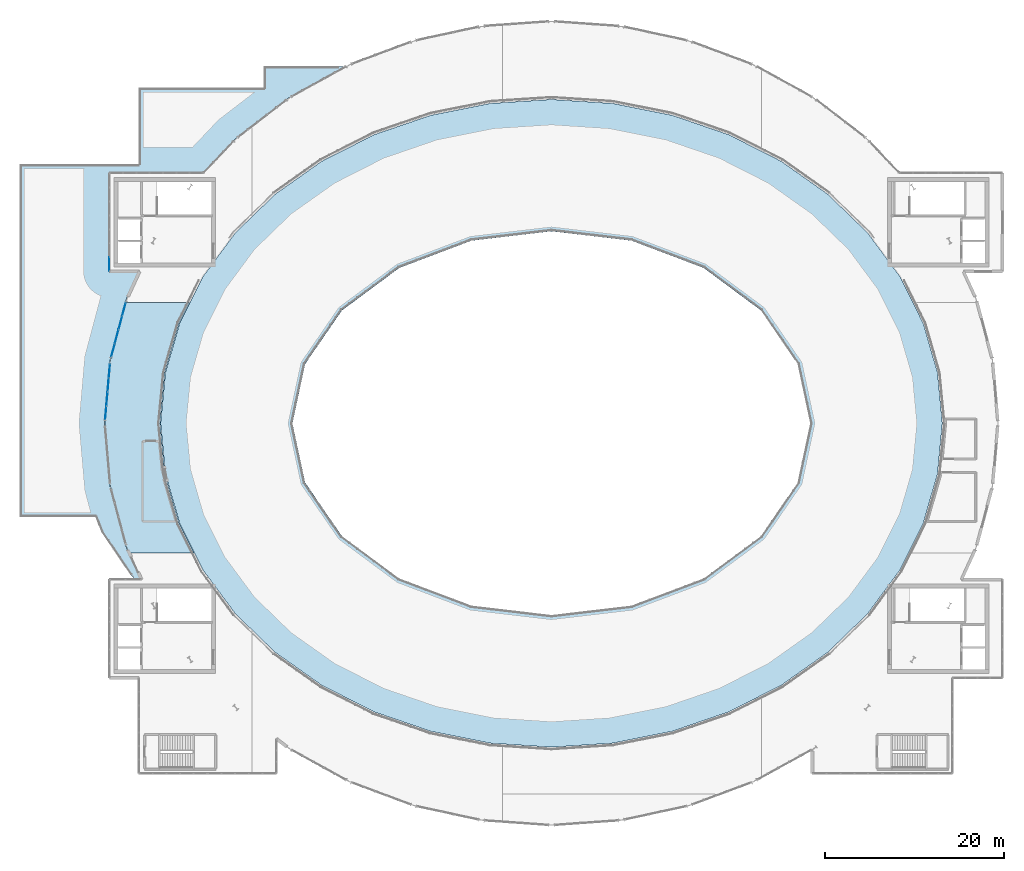
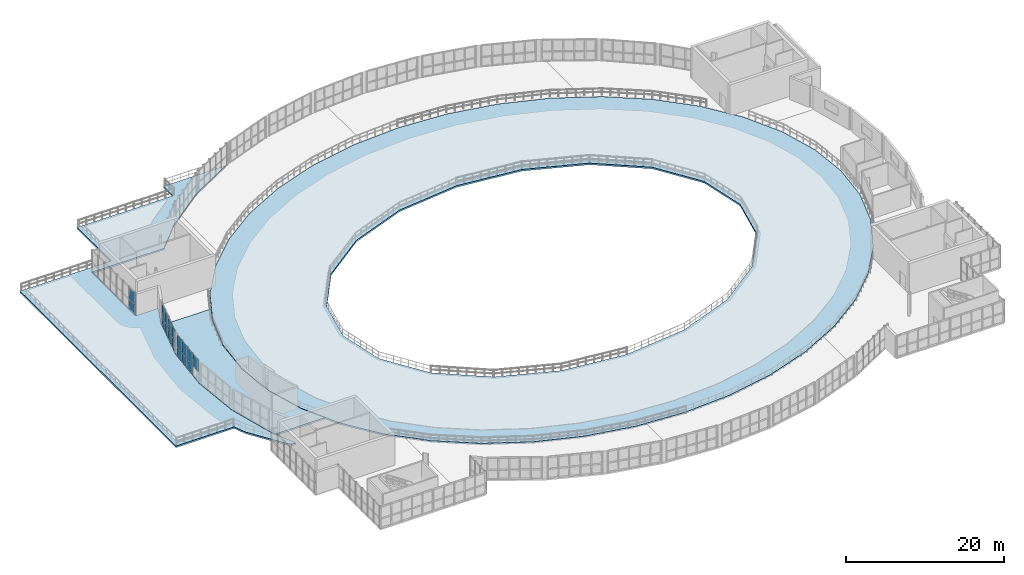
# One storey, part 25 of 40: 17 plates, 3 slabs, 3 elements without a shape of their own.
"""IFC4 building model written with IfcOpenShell, lengths in metres."""

import ifcopenshell
import ifcopenshell.guid

model = None  # the IFC model being written
_history = None  # IfcOwnerHistory: only IFC2X3 demands one
_inside = {}  # id of a spatial element -> (the spatial element, [elements in it])
_under = {}  # id of a project, library or spatial element -> (it, [spatial elements below it])
_declared = {}  # id of a project -> (the project, [libraries it declares])
_typed = {}  # id of a type object -> (the type object, [elements of that type])
_made_of = {}  # id of a material, layer set ... -> (it, [elements and type objects made of it])


def new_model(schema):
    """Start an empty IFC model of exactly this schema.

    Asked for "IFC4X3", IfcOpenShell would pick the latest addendum, in which some entities
    have other attributes; the version numbers below select the first issue.
    IFC2X3 requires an IfcOwnerHistory on every rooted entity: one is made here for all.
    """
    global model, _history
    if schema == "IFC4X3":
        model = ifcopenshell.file(schema_version=(4, 3, 0, 0))
    else:
        model = ifcopenshell.file(schema=schema)
    _inside.clear()
    _under.clear()
    _declared.clear()
    _typed.clear()
    _made_of.clear()
    _history = None
    if model.schema == "IFC2X3":
        org = make("IfcOrganization", Name="unknown")
        user = make(
            "IfcPersonAndOrganization",
            ThePerson=make("IfcPerson", FamilyName="unknown"),
            TheOrganization=org,
        )
        app = make(
            "IfcApplication",
            ApplicationDeveloper=org,
            Version="unknown",
            ApplicationFullName="unknown",
            ApplicationIdentifier="unknown",
        )
        _history = make(
            "IfcOwnerHistory",
            OwningUser=user,
            OwningApplication=app,
            ChangeAction="ADDED",
            CreationDate=0,
        )
    return model


def make(cls, **values):
    """One entity of the class cls with the attributes given. An attribute that is None is left unset."""
    return model.create_entity(
        cls, **{name: value for name, value in values.items() if value is not None}
    )


def rooted(cls, **values):
    """An entity with a GlobalId (a new one), such as an element, a storey or a relation."""
    return make(cls, GlobalId=ifcopenshell.guid.new(), OwnerHistory=_history, **values)


def si_unit(unit_type, name, prefix=None):
    """IfcSIUnit, for example si_unit("LENGTHUNIT", "METRE", prefix="MILLI")."""
    return make("IfcSIUnit", UnitType=unit_type, Prefix=prefix, Name=name)


def assignment(units):
    """IfcUnitAssignment: the units of a project."""
    return None if units is None else make("IfcUnitAssignment", Units=units)


def point(xyz):
    """IfcCartesianPoint."""
    return None if xyz is None else make("IfcCartesianPoint", Coordinates=xyz)


def direction(xyz):
    """IfcDirection."""
    return None if xyz is None else make("IfcDirection", DirectionRatios=xyz)


def frame(location, z_axis=None, x_axis=None):
    """IfcAxis2Placement3D, a coordinate frame: its origin and axes. An axis left out is left unset."""
    return make(
        "IfcAxis2Placement3D",
        Location=point(location),
        Axis=direction(z_axis),
        RefDirection=direction(x_axis),
    )


def frame_2d(location, x_axis=None):
    """IfcAxis2Placement2D, a coordinate frame in the plane: its origin and x axis."""
    return make(
        "IfcAxis2Placement2D", Location=point(location), RefDirection=direction(x_axis)
    )


def origin():
    """The frame at (0, 0, 0) with its axes left unset."""
    return frame((0.0, 0.0, 0.0))


def origin_2d():
    """The frame at (0, 0) in the plane with its x axis left unset."""
    return frame_2d((0.0, 0.0))


def place(relative_to, where):
    """IfcLocalPlacement: puts the frame where relative to a parent placement (None: the world)."""
    return make(
        "IfcLocalPlacement", PlacementRelTo=relative_to, RelativePlacement=where
    )


def context(
    kind, dimensions, precision=None, world=None, true_north=None, identifier=None
):
    """IfcGeometricRepresentationContext, for example the 3D "Model" context."""
    return make(
        "IfcGeometricRepresentationContext",
        ContextIdentifier=identifier,
        ContextType=kind,
        CoordinateSpaceDimension=dimensions,
        Precision=precision,
        WorldCoordinateSystem=world,
        TrueNorth=true_north,
    )


def subcontext(parent, identifier, kind, view, scale=None):
    """IfcGeometricRepresentationSubContext, for example "Body" below "Model"."""
    return make(
        "IfcGeometricRepresentationSubContext",
        ContextIdentifier=identifier,
        ContextType=kind,
        ParentContext=parent,
        TargetScale=scale,
        TargetView=view,
    )


def project(units=None, contexts=None):
    """IfcProject with its units and contexts."""
    return rooted(
        "IfcProject",
        Name="project",
        RepresentationContexts=contexts,
        UnitsInContext=assignment(units),
    )


def spatial(cls, under=None, at=None, **own):
    """A site, building, storey or space (cls), placed at a placement, below another one or the project."""
    s = rooted(cls, ObjectPlacement=at, **own)
    if under is not None:
        _under.setdefault(under.id(), (under, []))[1].append(s)
    return s


def polyline(points):
    """IfcPolyline through the points."""
    return make("IfcPolyline", Points=[point(p) for p in points])


def profile(cls, at=None, kind="AREA", **sizes):
    """A parametric profile (cls). Its sizes go by their IFC names, for example OverallWidth=200.0."""
    return make(cls, ProfileType=kind, Position=at, **sizes)


def rectangle(**sizes):
    """IfcRectangleProfileDef."""
    return profile("IfcRectangleProfileDef", **sizes)


def outline(outer, holes=None, kind="AREA"):
    """IfcArbitraryClosedProfileDef: a profile drawn as a closed curve; with holes, ...WithVoids."""
    if holes is None:
        return make("IfcArbitraryClosedProfileDef", ProfileType=kind, OuterCurve=outer)
    return make(
        "IfcArbitraryProfileDefWithVoids",
        ProfileType=kind,
        OuterCurve=outer,
        InnerCurves=holes,
    )


def extrude(swept, where, along, depth):
    """IfcExtrudedAreaSolid: the profile swept, set in the frame where, extruded along a direction by depth."""
    return make(
        "IfcExtrudedAreaSolid",
        SweptArea=swept,
        Position=where,
        ExtrudedDirection=direction(along),
        Depth=depth,
    )


def shape(context_of_items, identifier, shape_type, items):
    """IfcShapeRepresentation: the items that make up one representation, for example the "Body"."""
    return make(
        "IfcShapeRepresentation",
        ContextOfItems=context_of_items,
        RepresentationIdentifier=identifier,
        RepresentationType=shape_type,
        Items=items,
    )


def material(Name=None, Category=None):
    """IfcMaterial."""
    return make("IfcMaterial", Name=Name, Category=Category)


def layer(
    of_material, thickness, ventilated=None, Name=None, Category=None, Priority=None
):
    """IfcMaterialLayer: one layer of a wall or slab, of a material (None: an air gap)."""
    return make(
        "IfcMaterialLayer",
        Material=of_material,
        LayerThickness=thickness,
        IsVentilated=ventilated,
        Name=Name,
        Category=Category,
        Priority=Priority,
    )


def layer_set(layers, Name=None):
    """IfcMaterialLayerSet."""
    return make("IfcMaterialLayerSet", MaterialLayers=layers, LayerSetName=Name)


def made_of(thing, what):
    """Note that an element or type object is made of a material, layer set ...; save() writes the relation."""
    if what is not None:
        _made_of.setdefault(what.id(), (what, []))[1].append(thing)
    return thing


def type_object(cls, material=None, **own):
    """A type object (cls), such as IfcWallType, which elements share."""
    return made_of(rooted(cls, **own), material)


def element(
    cls,
    number,
    at=None,
    inside=None,
    cuts=None,
    type_object=None,
    material=None,
    context=None,
    identifier="Body",
    shape_type=None,
    held_by="IfcProductDefinitionShape",
    body=None,
    shapes=None,
    **own,
):
    """One element of the class cls, such as IfcWall. Its Tag is "e" and its number.

    at: its placement. inside: the storey or other place that contains it. cuts: it is an
    opening in that element (IfcRelVoidsElement). A single representation is given by context,
    identifier, shape_type and body (its items); several are given by shapes. held_by: the class
    of the entity that holds the representations. save() writes the other relations.
    """
    e = rooted(cls, Tag="e%d" % number, ObjectPlacement=at, **own)
    if body is not None:
        shapes = [shape(context, identifier, shape_type, body)]
    if shapes is not None:
        e.Representation = make(held_by, Representations=shapes)
    if inside is not None:
        _inside.setdefault(inside.id(), (inside, []))[1].append(e)
    if cuts is not None:
        rooted(
            "IfcRelVoidsElement", RelatingBuildingElement=cuts, RelatedOpeningElement=e
        )
    if type_object is not None:
        _typed.setdefault(type_object.id(), (type_object, []))[1].append(e)
    return made_of(e, material)


def aggregate(whole, parts):
    """IfcRelAggregates: a whole, such as a stair, and the parts it consists of."""
    return rooted("IfcRelAggregates", RelatingObject=whole, RelatedObjects=parts)


def save(model, path):
    """Write the relations noted so far, then the file.

    IfcRelAggregates (storeys below a building ...), IfcRelContainedInSpatialStructure (elements
    in a storey), IfcRelDefinesByType, IfcRelAssociatesMaterial and IfcRelDeclares: one each for
    every whole, place, type object, material and project.
    """
    for whole, parts in _under.values():
        aggregate(whole, parts)
    for where, things in _inside.values():
        rooted(
            "IfcRelContainedInSpatialStructure",
            RelatedElements=things,
            RelatingStructure=where,
        )
    for kind, things in _typed.values():
        rooted("IfcRelDefinesByType", RelatedObjects=things, RelatingType=kind)
    for what, things in _made_of.values():
        rooted("IfcRelAssociatesMaterial", RelatedObjects=things, RelatingMaterial=what)
    for by, libraries in _declared.values():
        rooted("IfcRelDeclares", RelatingContext=by, RelatedDefinitions=libraries)
    model.write(path)


model = new_model("IFC4")

# Units and contexts
model_context = context("Model", 3, precision=1e-05, world=origin(), true_north=direction((0.0, 1.0)))
body_context = subcontext(model_context, "Body", "Model", "MODEL_VIEW")
ifc_project = project(units=[si_unit("LENGTHUNIT", "METRE"), si_unit("AREAUNIT", "SQUARE_METRE"), si_unit("VOLUMEUNIT", "CUBIC_METRE"), si_unit("PLANEANGLEUNIT", "RADIAN"), si_unit("MASSUNIT", "GRAM", prefix="KILO")], contexts=[model_context])

# Site, building, storey
site_placement = place(None, origin())
site = spatial("IfcSite", under=ifc_project, at=site_placement, CompositionType="ELEMENT")
building_placement = place(site_placement, origin())
building = spatial("IfcBuilding", under=site, at=building_placement, Name="Glasvene Arena", CompositionType="ELEMENT")
storey_placement = place(building_placement, frame((0.0, 0.0, 24.0)))
storey = spatial("IfcBuildingStorey", under=building, at=storey_placement, Name="L05", CompositionType="ELEMENT", Elevation=24.0)

# Curtain wall, plates
ifc_material_1 = material(Name="Low-emissivity laminated double glazing", Category="glass")
curtain_wall_type_1 = type_object("IfcCurtainWallType", Name="CW-FAC-L05-633x332", PredefinedType="USERDEFINED", material=ifc_material_1)
curtain_wall_1_placement = place(storey_placement, frame((42.031982421875, 73.36669921875, 0.0)))
curtain_wall_1 = element("IfcCurtainWall", 1, at=curtain_wall_1_placement, inside=storey, type_object=curtain_wall_type_1, Name="Unitised curtain wall CW-F-L05-150-423-765-7", ObjectType="CURTAIN WALL", PredefinedType="USERDEFINED")
ifc_layer_1 = layer(ifc_material_1, 0.028076171875)
ifc_layer_set_1 = layer_set([ifc_layer_1], Name="Low-emissivity laminated double glazing")
plate_type = type_object("IfcPlateType", Name="CW-GLZ-28", PredefinedType="CURTAIN_PANEL", material=ifc_layer_set_1)
plate_1_placement = place(storey_placement, frame((42.10205078125, 74.16748046875, 1.5458984375), z_axis=(0.0, 0.0, 1.0), x_axis=(0.087112869305, 0.996198448102, 0.0)))
plate_1 = element("IfcPlate", 2, at=plate_1_placement, type_object=plate_type, Name="CW-058 panel 1.2", PredefinedType="CURTAIN_PANEL", context=body_context, shape_type="SweptSolid", body=[
    extrude(rectangle(XDim=1.5078125, YDim=0.028076171875, at=origin_2d()), origin(), (0.0, 0.0, 1.0), 1.783935546875),
])
plate_2_placement = place(storey_placement, frame((42.239013671875, 75.73193359375, 0.10986328125), z_axis=(0.0, 0.0, 1.0), x_axis=(0.087112869305, 0.996198448102, 0.0)))
plate_2 = element("IfcPlate", 3, at=plate_2_placement, type_object=plate_type, Name="CW-058 panel 2.1", PredefinedType="CURTAIN_PANEL", context=body_context, shape_type="SweptSolid", body=[
    extrude(rectangle(XDim=1.53271484375, YDim=0.028076171875, at=origin_2d()), origin(), (0.0, 0.0, 1.0), 1.385986328125),
])
plate_3_placement = place(storey_placement, frame((42.239013671875, 75.73193359375, 1.5458984375), z_axis=(0.0, 0.0, 1.0), x_axis=(0.087112869305, 0.996198448102, 0.0)))
plate_3 = element("IfcPlate", 4, at=plate_3_placement, type_object=plate_type, Name="CW-058 panel 2.2", PredefinedType="CURTAIN_PANEL", context=body_context, shape_type="SweptSolid", body=[
    extrude(rectangle(XDim=1.53271484375, YDim=0.028076171875, at=origin_2d()), origin(), (0.0, 0.0, 1.0), 1.783935546875),
])
plate_4_placement = place(storey_placement, frame((42.376708984375, 77.30859375, 0.10986328125), z_axis=(0.0, 0.0, 1.0), x_axis=(0.087112869305, 0.996198448102, 0.0)))
plate_4 = element("IfcPlate", 5, at=plate_4_placement, type_object=plate_type, Name="CW-058 panel 3.1", PredefinedType="CURTAIN_PANEL", context=body_context, shape_type="SweptSolid", body=[
    extrude(rectangle(XDim=1.53271484375, YDim=0.028076171875, at=origin_2d()), origin(), (0.0, 0.0, 1.0), 1.385986328125),
])
plate_5_placement = place(storey_placement, frame((42.376708984375, 77.30859375, 1.5458984375), z_axis=(0.0, 0.0, 1.0), x_axis=(0.087112869305, 0.996198448102, 0.0)))
plate_5 = element("IfcPlate", 6, at=plate_5_placement, type_object=plate_type, Name="CW-058 panel 3.2", PredefinedType="CURTAIN_PANEL", context=body_context, shape_type="SweptSolid", body=[
    extrude(rectangle(XDim=1.53271484375, YDim=0.028076171875, at=origin_2d()), origin(), (0.0, 0.0, 1.0), 1.783935546875),
])
plate_6_placement = place(storey_placement, frame((42.513671875, 78.872802734375, 0.10986328125), z_axis=(0.0, 0.0, 1.0), x_axis=(0.087112869305, 0.996198448102, 0.0)))
plate_6 = element("IfcPlate", 7, at=plate_6_placement, type_object=plate_type, Name="CW-058 panel 4.1", PredefinedType="CURTAIN_PANEL", context=body_context, shape_type="SweptSolid", body=[
    extrude(rectangle(XDim=1.5078125, YDim=0.028076171875, at=origin_2d()), origin(), (0.0, 0.0, 1.0), 1.385986328125),
])
plate_7_placement = place(storey_placement, frame((42.513671875, 78.872802734375, 1.5458984375), z_axis=(0.0, 0.0, 1.0), x_axis=(0.087112869305, 0.996198448102, 0.0)))
plate_7 = element("IfcPlate", 8, at=plate_7_placement, type_object=plate_type, Name="CW-058 panel 4.2", PredefinedType="CURTAIN_PANEL", context=body_context, shape_type="SweptSolid", body=[
    extrude(rectangle(XDim=1.5078125, YDim=0.028076171875, at=origin_2d()), origin(), (0.0, 0.0, 1.0), 1.783935546875),
])
aggregate(curtain_wall_1, [plate_1, plate_2, plate_3, plate_4, plate_5, plate_6, plate_7])

curtain_wall_type_2 = type_object("IfcCurtainWallType", Name="CW-FAC-L05-637x332", PredefinedType="USERDEFINED", material=ifc_material_1)
curtain_wall_2_placement = place(storey_placement, frame((42.710693359375, 80.396484375, 0.0)))
curtain_wall_2 = element("IfcCurtainWall", 9, at=curtain_wall_2_placement, inside=storey, type_object=curtain_wall_type_2, Name="Unitised curtain wall CW-F-L05-150-435-835-8", ObjectType="CURTAIN WALL", PredefinedType="USERDEFINED")
plate_8_placement = place(storey_placement, frame((42.919189453125, 81.177734375, 0.10986328125), z_axis=(0.0, 0.0, 1.0), x_axis=(0.257738862657, 0.966214613156, 0.0)))
plate_8 = element("IfcPlate", 10, at=plate_8_placement, type_object=plate_type, Name="CW-057 panel 1.1", PredefinedType="CURTAIN_PANEL", context=body_context, shape_type="SweptSolid", body=[
    extrude(rectangle(XDim=1.517578125, YDim=0.028076171875, at=origin_2d()), origin(), (0.0, 0.0, 1.0), 1.385986328125),
])
plate_9_placement = place(storey_placement, frame((42.919189453125, 81.177734375, 1.5458984375), z_axis=(0.0, 0.0, 1.0), x_axis=(0.257738862657, 0.966214613156, 0.0)))
plate_9 = element("IfcPlate", 11, at=plate_9_placement, type_object=plate_type, Name="CW-057 panel 1.2", PredefinedType="CURTAIN_PANEL", context=body_context, shape_type="SweptSolid", body=[
    extrude(rectangle(XDim=1.517578125, YDim=0.028076171875, at=origin_2d()), origin(), (0.0, 0.0, 1.0), 1.783935546875),
])
plate_10_placement = place(storey_placement, frame((43.326416015625, 82.704345703125, 0.10986328125), z_axis=(0.0, 0.0, 1.0), x_axis=(0.257738862657, 0.966214613156, 0.0)))
plate_10 = element("IfcPlate", 12, at=plate_10_placement, type_object=plate_type, Name="CW-057 panel 2.1", PredefinedType="CURTAIN_PANEL", context=body_context, shape_type="SweptSolid", body=[
    extrude(rectangle(XDim=1.54248046875, YDim=0.028076171875, at=origin_2d()), origin(), (0.0, 0.0, 1.0), 1.385986328125),
])
plate_11_placement = place(storey_placement, frame((43.326416015625, 82.704345703125, 1.5458984375), z_axis=(0.0, 0.0, 1.0), x_axis=(0.257738862657, 0.966214613156, 0.0)))
plate_11 = element("IfcPlate", 13, at=plate_11_placement, type_object=plate_type, Name="CW-057 panel 2.2", PredefinedType="CURTAIN_PANEL", context=body_context, shape_type="SweptSolid", body=[
    extrude(rectangle(XDim=1.54248046875, YDim=0.028076171875, at=origin_2d()), origin(), (0.0, 0.0, 1.0), 1.783935546875),
])
plate_12_placement = place(storey_placement, frame((43.73681640625, 84.2431640625, 0.10986328125), z_axis=(0.0, 0.0, 1.0), x_axis=(0.257738862657, 0.966214613156, 0.0)))
plate_12 = element("IfcPlate", 14, at=plate_12_placement, type_object=plate_type, Name="CW-057 panel 3.1", PredefinedType="CURTAIN_PANEL", context=body_context, shape_type="SweptSolid", body=[
    extrude(rectangle(XDim=1.54248046875, YDim=0.028076171875, at=origin_2d()), origin(), (0.0, 0.0, 1.0), 1.385986328125),
])
plate_13_placement = place(storey_placement, frame((43.73681640625, 84.2431640625, 1.5458984375), z_axis=(0.0, 0.0, 1.0), x_axis=(0.257738862657, 0.966214613156, 0.0)))
plate_13 = element("IfcPlate", 15, at=plate_13_placement, type_object=plate_type, Name="CW-057 panel 3.2", PredefinedType="CURTAIN_PANEL", context=body_context, shape_type="SweptSolid", body=[
    extrude(rectangle(XDim=1.54248046875, YDim=0.028076171875, at=origin_2d()), origin(), (0.0, 0.0, 1.0), 1.783935546875),
])
plate_14_placement = place(storey_placement, frame((44.14404296875, 85.769775390625, 0.10986328125), z_axis=(0.0, 0.0, 1.0), x_axis=(0.257738862657, 0.966214613156, 0.0)))
plate_14 = element("IfcPlate", 16, at=plate_14_placement, type_object=plate_type, Name="CW-057 panel 4.1", PredefinedType="CURTAIN_PANEL", context=body_context, shape_type="SweptSolid", body=[
    extrude(rectangle(XDim=1.517578125, YDim=0.028076171875, at=origin_2d()), origin(), (0.0, 0.0, 1.0), 1.385986328125),
])
plate_15_placement = place(storey_placement, frame((44.14404296875, 85.769775390625, 1.5458984375), z_axis=(0.0, 0.0, 1.0), x_axis=(0.257738862657, 0.966214613156, 0.0)))
plate_15 = element("IfcPlate", 17, at=plate_15_placement, type_object=plate_type, Name="CW-057 panel 4.2", PredefinedType="CURTAIN_PANEL", context=body_context, shape_type="SweptSolid", body=[
    extrude(rectangle(XDim=1.517578125, YDim=0.028076171875, at=origin_2d()), origin(), (0.0, 0.0, 1.0), 1.783935546875),
])
aggregate(curtain_wall_2, [plate_8, plate_9, plate_10, plate_11, plate_12, plate_13, plate_14, plate_15])

curtain_wall_type_3 = type_object("IfcCurtainWallType", Name="CW-FAC-L05-1092x332", PredefinedType="USERDEFINED", material=ifc_material_1)
curtain_wall_3_placement = place(storey_placement, frame((42.5, 90.0400390625, 0.0)))
curtain_wall_3 = element("IfcCurtainWall", 18, at=curtain_wall_3_placement, inside=storey, type_object=curtain_wall_type_3, Name="Unitised curtain wall CW-F-L05-150-425-955-11", ObjectType="CURTAIN WALL", PredefinedType="USERDEFINED")
plate_16_placement = place(storey_placement, frame((42.5, 90.83251953125, 0.10986328125), z_axis=(0.0, 0.0, 1.0), x_axis=(0.0, 1.0, 0.0)))
plate_16 = element("IfcPlate", 19, at=plate_16_placement, type_object=plate_type, Name="CW-055 panel 1.1", PredefinedType="CURTAIN_PANEL", context=body_context, shape_type="SweptSolid", body=[
    extrude(rectangle(XDim=1.485107421875, YDim=0.028076171875, at=origin_2d()), origin(), (0.0, 0.0, 1.0), 1.385986328125),
])
plate_17_placement = place(storey_placement, frame((42.5, 90.83251953125, 1.5458984375), z_axis=(0.0, 0.0, 1.0), x_axis=(0.0, 1.0, 0.0)))
plate_17 = element("IfcPlate", 20, at=plate_17_placement, type_object=plate_type, Name="CW-055 panel 1.2", PredefinedType="CURTAIN_PANEL", context=body_context, shape_type="SweptSolid", body=[
    extrude(rectangle(XDim=1.485107421875, YDim=0.028076171875, at=origin_2d()), origin(), (0.0, 0.0, 1.0), 1.783935546875),
])
aggregate(curtain_wall_3, [plate_16, plate_17])

# Slabs
ifc_material_2 = material(Name="Concrete C40/50", Category="concrete")
ifc_layer_2 = layer(ifc_material_2, 0.25)
ifc_layer_set_2 = layer_set([ifc_layer_2], Name="Concrete C40/50")
slab_type_1 = type_object("IfcSlabType", Name="SL-TERR-250", PredefinedType="FLOOR", material=ifc_layer_set_2)
slab_1_placement = place(storey_placement, frame((92.0, 73.0, -0.25)))
element("IfcSlab", 21, at=slab_1_placement, inside=storey, type_object=slab_type_1, Name="Planted limestone terrace slab TR-L05-STEP4-1", PredefinedType="FLOOR", context=body_context, shape_type="SweptSolid", body=[
    extrude(outline(polyline([(43.22119140625, -5.671142578125), (41.618896484375, -11.20263671875), (38.991943359375, -16.458984375), (35.40478515625, -21.310302734375), (30.94580078125, -25.63720703125), (25.724365234375, -29.3330078125), (19.869140625, -32.306640625), (13.5244140625, -34.484619140625), (6.8466796875, -35.8134765625), (0.0, -36.260009765625), (-6.8466796875, -35.8134765625), (-13.5244140625, -34.484619140625), (-19.869140625, -32.306640625), (-25.724365234375, -29.3330078125), (-30.94580078125, -25.63720703125), (-35.40478515625, -21.310302734375), (-38.991943359375, -16.458984375), (-41.618896484375, -11.20263671875), (-43.22119140625, -5.671142578125), (-43.759765625, 0.0), (-43.22119140625, 5.671142578125), (-41.618896484375, 11.20263671875), (-38.991943359375, 16.458984375), (-35.40478515625, 21.310302734375), (-30.94580078125, 25.63720703125), (-25.724365234375, 29.3330078125), (-19.869140625, 32.306640625), (-13.5244140625, 34.484619140625), (-6.8466796875, 35.8134765625), (0.0, 36.260009765625), (6.8466796875, 35.8134765625), (13.5244140625, 34.484619140625), (19.869140625, 32.306640625), (25.724365234375, 29.3330078125), (30.94580078125, 25.63720703125), (35.40478515625, 21.310302734375), (38.991943359375, 16.458984375), (41.618896484375, 11.20263671875), (43.22119140625, 5.671142578125), (43.759765625, 0.0), (43.22119140625, -5.671142578125)]), holes=[polyline([(17.0458984375, 17.393798828125), (8.96142578125, 20.44775390625), (0.0, 21.5), (-8.96142578125, 20.44775390625), (-17.0458984375, 17.393798828125), (-23.46142578125, 12.637451171875), (-27.58056640625, 6.643798828125), (-29.0, 0.0), (-27.58056640625, -6.643798828125), (-23.46142578125, -12.637451171875), (-17.0458984375, -17.393798828125), (-8.96142578125, -20.44775390625), (0.0, -21.5), (8.96142578125, -20.44775390625), (17.0458984375, -17.393798828125), (23.46142578125, -12.637451171875), (27.58056640625, -6.643798828125), (29.0, 0.0), (27.58056640625, 6.643798828125), (23.46142578125, 12.637451171875), (17.0458984375, 17.393798828125)])]), origin(), (0.0, 0.0, 1.0), 0.25),
])
slab_2_placement = place(storey_placement, frame((46.131591796875, 87.525146484375, -0.25)))
element("IfcSlab", 22, at=slab_2_placement, inside=storey, type_object=slab_type_1, Name="Planted limestone terrace slab TR-L05-STEP4-2", PredefinedType="FLOOR", context=body_context, shape_type="SweptSolid", body=[
    extrude(outline(polyline([(-4.48876953125, -26.72265625), (-5.155517578125, -25.025146484375), (-13.631591796875, -25.025146484375), (-13.631591796875, 14.474853515625), (-0.33154296875, 14.474853515625), (-0.33154296875, 23.02490234375), (13.66845703125, 23.02490234375), (13.66845703125, 25.4248046875), (22.822509765625, 25.4248046875), (16.459716796875, 21.915771484375), (10.486328125, 17.324462890625), (6.87109375, 13.514892578125), (-3.631591796875, 13.514892578125), (-3.64697265625, 13.511962890625), (-3.66259765625, 13.500244140625), (-3.669921875, 13.486572265625), (-3.671630859375, 2.474853515625), (-3.6669921875, 2.4560546875), (-3.656982421875, 2.44384765625), (-3.643310546875, 2.4365234375), (-0.32275390625, 2.434814453125), (-1.721923828125, -0.605712890625), (-3.5546875, -7.475341796875), (-4.17138671875, -14.521728515625), (-3.555908203125, -21.568359375), (-1.721923828125, -28.444580078125), (-0.0927734375, -31.985107421875), (-0.766357421875, -31.985107421875), (-1.24609375, -31.5068359375), (-4.48876953125, -26.72265625)])), origin(), (0.0, 0.0, 1.0), 0.25),
])
ifc_layer_3 = layer(ifc_material_2, 0.25)
ifc_layer_set_3 = layer_set([ifc_layer_3], Name="Concrete C40/50")
slab_type_2 = type_object("IfcSlabType", Name="SL-UPPER-250", PredefinedType="FLOOR", material=ifc_layer_set_3)
slab_3_placement = place(storey_placement, frame((46.967041015625, 71.7763671875, -0.25)))
element("IfcSlab", 23, at=slab_3_placement, inside=storey, type_object=slab_type_2, Name="Structural floor slab L05 sector 3-2 (122)", PredefinedType="FLOOR", context=body_context, shape_type="SweptSolid", body=[
    extrude(outline(polyline([(-2.519775390625, -12.68212890625), (-4.3515625, -5.81591796875), (-4.967041015625, 1.2236328125), (-4.3515625, 8.26318359375), (-2.6279296875, 14.7236328125), (4.517578125, 14.7236328125), (3.376708984375, 12.44091796875), (1.772216796875, 6.90234375), (1.23291015625, 1.2236328125), (1.772216796875, -4.455078125), (3.376708984375, -9.99365234375), (5.017333984375, -13.2763671875), (-2.246337890625, -13.2763671875), (-2.519775390625, -12.68212890625)])), origin(), (0.0, 0.0, 1.0), 0.25),
])

save(model, "model.ifc")
